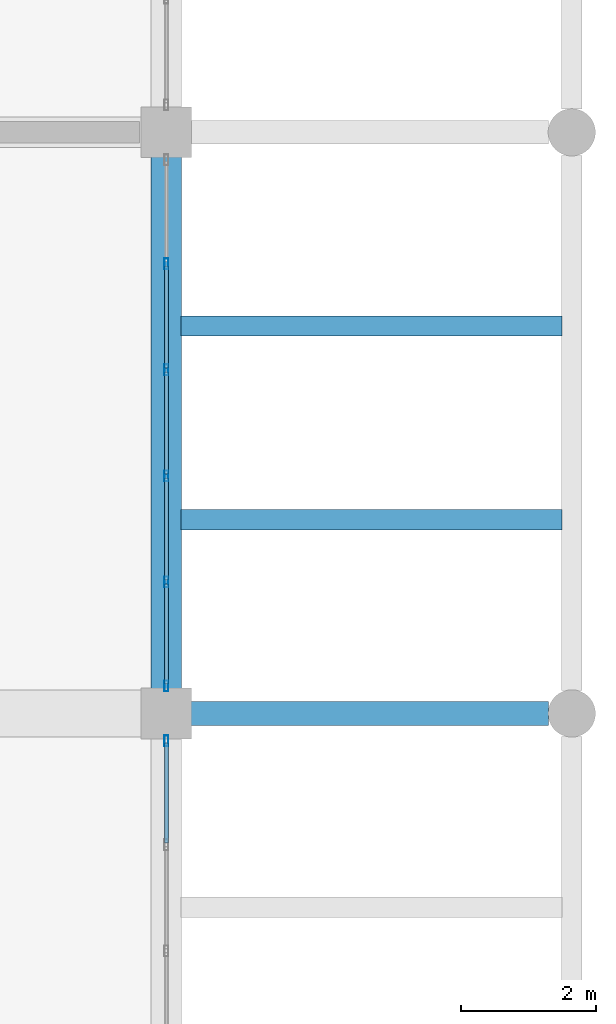
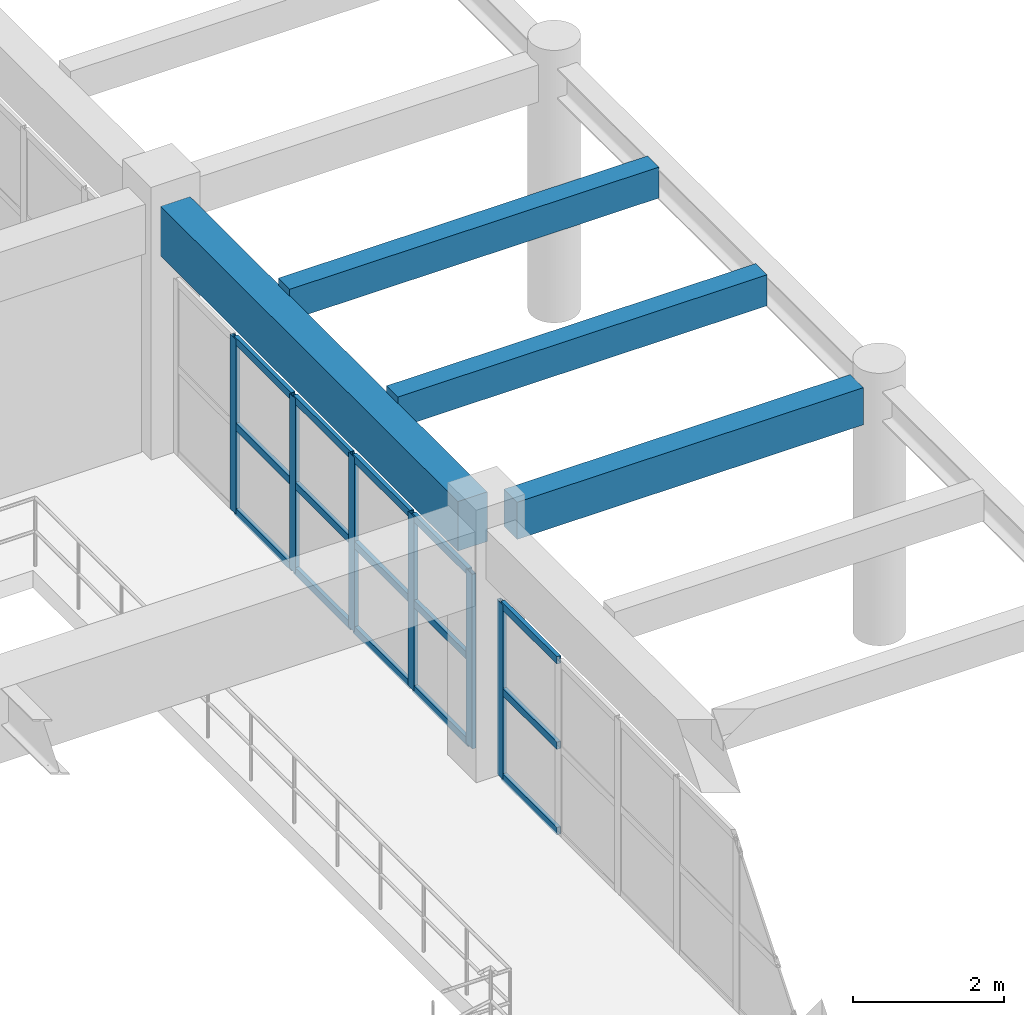
# One storey, part 79 of 116: 21 members, 4 beams, 2 elements without a shape of their own.
"""IFC4 building model written with IfcOpenShell, lengths in metres."""

from ifc_helpers import new_model, si_unit, direction, frame, origin, origin_2d, place, context, subcontext, project, spatial, rectangle, hollow_rectangle, extrude, material, layer, layer_set, material_profile, profile_set, type_object, element, aggregate, save


model = new_model("IFC4")

# Units and contexts
model_context = context("Model", 3, precision=1e-05, world=origin(), true_north=direction((0.0, 1.0)))
body_context = subcontext(model_context, "Body", "Model", "MODEL_VIEW")
ifc_project = project(units=[si_unit("LENGTHUNIT", "METRE"), si_unit("AREAUNIT", "SQUARE_METRE"), si_unit("VOLUMEUNIT", "CUBIC_METRE"), si_unit("PLANEANGLEUNIT", "RADIAN"), si_unit("MASSUNIT", "GRAM", prefix="KILO")], contexts=[model_context])

# Site, building, storey
site_placement = place(None, origin())
site = spatial("IfcSite", under=ifc_project, at=site_placement, CompositionType="ELEMENT")
building_placement = place(site_placement, origin())
building = spatial("IfcBuilding", under=site, at=building_placement, Name="Muzn Square Opera House", CompositionType="ELEMENT")
storey_placement = place(building_placement, frame((0.0, 0.0, 5.39990234375)))
storey = spatial("IfcBuildingStorey", under=building, at=storey_placement, Name="L01", CompositionType="ELEMENT", Elevation=5.39990234375)

# Curtain wall, member
ifc_material_1 = material(Name="Low-E laminated acoustic double glazing", Category="glass")
ifc_layer = layer(ifc_material_1, 0.159912109375, Name="Low-E laminated acoustic double glazing", Category="glass")
ifc_layer_set = layer_set([ifc_layer], Name="Low-E laminated acoustic double glazing")
curtain_wall_type = type_object("IfcCurtainWallType", Name="Glazed Curtain Wall EastBlvd 7850x2820", PredefinedType="USERDEFINED", material=ifc_layer_set)
curtain_wall_1_placement = place(storey_placement, origin())
curtain_wall_1 = element("IfcCurtainWall", 1, at=curtain_wall_1_placement, inside=storey, type_object=curtain_wall_type, Name="Glazed Curtain Wall CW-L01-119", ObjectType="GLAZED CURTAIN WALL", PredefinedType="USERDEFINED")
ifc_material_2 = material(Name="Anodised bronze aluminium 6063-T6", Category="metal")
ifc_material_profile_1 = material_profile(ifc_material_2, hollow_rectangle(XDim=0.06005859375, YDim=0.159912109375, WallThickness=0.00390625, at=origin_2d()), Name="ALU 160x60x4", Category="metal")
ifc_profile_set_1 = profile_set([ifc_material_profile_1], Name="Anodised bronze aluminium 6063-T6")
member_type_1 = type_object("IfcMemberType", Name="Curtain Wall Mullion 160x60", PredefinedType="MULLION", material=ifc_profile_set_1)
member_1_placement = place(storey_placement, frame((170.0, 80.794921875, 0.0), z_axis=(0.0, 0.0, 1.0), x_axis=(-1.0, 0.0, 0.0)))
member_1 = element("IfcMember", 2, at=member_1_placement, type_object=member_type_1, Name="CW-EBL-78x28 mullion 6", PredefinedType="MULLION", context=body_context, shape_type="SweptSolid", body=[
    extrude(hollow_rectangle(XDim=0.06005859375, YDim=0.159912109375, WallThickness=0.00390625, at=origin_2d()), origin(), (0.0, 0.0, 1.0), 2.820068359375),
])

# Curtain wall, members
curtain_wall_2_placement = place(storey_placement, origin())
curtain_wall_2 = element("IfcCurtainWall", 3, at=curtain_wall_2_placement, inside=storey, type_object=curtain_wall_type, Name="Glazed Curtain Wall CW-L01-120", ObjectType="GLAZED CURTAIN WALL", PredefinedType="USERDEFINED")
member_2_placement = place(storey_placement, frame((170.0, 81.60498046875, 0.0), z_axis=(0.0, 0.0, 1.0), x_axis=(-1.0, 0.0, 0.0)))
member_2 = element("IfcMember", 4, at=member_2_placement, type_object=member_type_1, Name="CW-EBL-78x28 mullion 1", PredefinedType="MULLION", context=body_context, shape_type="SweptSolid", body=[
    extrude(hollow_rectangle(XDim=0.06005859375, YDim=0.159912109375, WallThickness=0.00390625, at=origin_2d()), origin(), (0.0, 0.0, 1.0), 2.820068359375),
])
member_3_placement = place(storey_placement, frame((170.0, 83.14501953125, 0.0), z_axis=(0.0, 0.0, 1.0), x_axis=(-1.0, 0.0, 0.0)))
member_3 = element("IfcMember", 5, at=member_3_placement, type_object=member_type_1, Name="CW-EBL-78x28 mullion 2", PredefinedType="MULLION", context=body_context, shape_type="SweptSolid", body=[
    extrude(hollow_rectangle(XDim=0.06005859375, YDim=0.159912109375, WallThickness=0.00390625, at=origin_2d()), origin(), (0.0, 0.0, 1.0), 2.820068359375),
])
member_4_placement = place(storey_placement, frame((170.0, 84.715087890625, 0.0), z_axis=(0.0, 0.0, 1.0), x_axis=(-1.0, 0.0, 0.0)))
member_4 = element("IfcMember", 6, at=member_4_placement, type_object=member_type_1, Name="CW-EBL-78x28 mullion 3", PredefinedType="MULLION", context=body_context, shape_type="SweptSolid", body=[
    extrude(hollow_rectangle(XDim=0.06005859375, YDim=0.159912109375, WallThickness=0.00390625, at=origin_2d()), origin(), (0.0, 0.0, 1.0), 2.820068359375),
])
member_5_placement = place(storey_placement, frame((170.0, 86.284912109375, 0.0), z_axis=(0.0, 0.0, 1.0), x_axis=(-1.0, 0.0, 0.0)))
member_5 = element("IfcMember", 7, at=member_5_placement, type_object=member_type_1, Name="CW-EBL-78x28 mullion 4", PredefinedType="MULLION", context=body_context, shape_type="SweptSolid", body=[
    extrude(hollow_rectangle(XDim=0.06005859375, YDim=0.159912109375, WallThickness=0.00390625, at=origin_2d()), origin(), (0.0, 0.0, 1.0), 2.820068359375),
])
member_6_placement = place(storey_placement, frame((170.0, 87.85498046875, 0.0), z_axis=(0.0, 0.0, 1.0), x_axis=(-1.0, 0.0, 0.0)))
member_6 = element("IfcMember", 8, at=member_6_placement, type_object=member_type_1, Name="CW-EBL-78x28 mullion 5", PredefinedType="MULLION", context=body_context, shape_type="SweptSolid", body=[
    extrude(hollow_rectangle(XDim=0.06005859375, YDim=0.159912109375, WallThickness=0.00390625, at=origin_2d()), origin(), (0.0, 0.0, 1.0), 2.820068359375),
])

# Member
ifc_material_profile_2 = material_profile(ifc_material_2, hollow_rectangle(XDim=0.06005859375, YDim=0.1201171875, WallThickness=0.00390625, at=origin_2d()), Name="ALU 120x60x4", Category="metal")
ifc_profile_set_2 = profile_set([ifc_material_profile_2], Name="Anodised bronze aluminium 6063-T6")
member_type_2 = type_object("IfcMemberType", Name="Curtain Wall Transom 120x60", PredefinedType="USERDEFINED", material=ifc_profile_set_2)
member_7_placement = place(storey_placement, frame((170.0, 79.284912109375, 0.030029296875), z_axis=(0.0, 1.0, 0.0), x_axis=(-1.0, 0.0, 0.0)))
member_7 = element("IfcMember", 9, at=member_7_placement, type_object=member_type_2, Name="CW-EBL-78x28 transom 5.1", ObjectType="TRANSOM", PredefinedType="USERDEFINED", context=body_context, shape_type="SweptSolid", body=[
    extrude(hollow_rectangle(XDim=0.06005859375, YDim=0.1201171875, WallThickness=0.00390625, at=origin_2d()), origin(), (0.0, 0.0, 1.0), 1.47998046875),
])

member_8_placement = place(storey_placement, frame((170.0, 79.284912109375, 1.41015625), z_axis=(0.0, 1.0, 0.0), x_axis=(-1.0, 0.0, 0.0)))
member_8 = element("IfcMember", 10, at=member_8_placement, type_object=member_type_2, Name="CW-EBL-78x28 transom 5.2", ObjectType="TRANSOM", PredefinedType="USERDEFINED", context=body_context, shape_type="SweptSolid", body=[
    extrude(hollow_rectangle(XDim=0.06005859375, YDim=0.1201171875, WallThickness=0.00390625, at=origin_2d()), origin(), (0.0, 0.0, 1.0), 1.47998046875),
])

member_9_placement = place(storey_placement, frame((170.0, 79.284912109375, 2.7900390625), z_axis=(0.0, 1.0, 0.0), x_axis=(-1.0, 0.0, 0.0)))
member_9 = element("IfcMember", 11, at=member_9_placement, type_object=member_type_2, Name="CW-EBL-78x28 transom 5.3", ObjectType="TRANSOM", PredefinedType="USERDEFINED", context=body_context, shape_type="SweptSolid", body=[
    extrude(hollow_rectangle(XDim=0.06005859375, YDim=0.1201171875, WallThickness=0.00390625, at=origin_2d()), origin(), (0.0, 0.0, 1.0), 1.47998046875),
])

aggregate(curtain_wall_1, [member_1, member_7, member_8, member_9])

member_10_placement = place(storey_placement, frame((170.0, 81.635009765625, 0.030029296875), z_axis=(0.0, 1.0, 0.0), x_axis=(-1.0, 0.0, 0.0)))
member_10 = element("IfcMember", 12, at=member_10_placement, type_object=member_type_2, Name="CW-EBL-78x28 transom 1.1", ObjectType="TRANSOM", PredefinedType="USERDEFINED", context=body_context, shape_type="SweptSolid", body=[
    extrude(hollow_rectangle(XDim=0.06005859375, YDim=0.1201171875, WallThickness=0.00390625, at=origin_2d()), origin(), (0.0, 0.0, 1.0), 1.47998046875),
])

member_11_placement = place(storey_placement, frame((170.0, 81.635009765625, 1.41015625), z_axis=(0.0, 1.0, 0.0), x_axis=(-1.0, 0.0, 0.0)))
member_11 = element("IfcMember", 13, at=member_11_placement, type_object=member_type_2, Name="CW-EBL-78x28 transom 1.2", ObjectType="TRANSOM", PredefinedType="USERDEFINED", context=body_context, shape_type="SweptSolid", body=[
    extrude(hollow_rectangle(XDim=0.06005859375, YDim=0.1201171875, WallThickness=0.00390625, at=origin_2d()), origin(), (0.0, 0.0, 1.0), 1.47998046875),
])

member_12_placement = place(storey_placement, frame((170.0, 81.635009765625, 2.7900390625), z_axis=(0.0, 1.0, 0.0), x_axis=(-1.0, 0.0, 0.0)))
member_12 = element("IfcMember", 14, at=member_12_placement, type_object=member_type_2, Name="CW-EBL-78x28 transom 1.3", ObjectType="TRANSOM", PredefinedType="USERDEFINED", context=body_context, shape_type="SweptSolid", body=[
    extrude(hollow_rectangle(XDim=0.06005859375, YDim=0.1201171875, WallThickness=0.00390625, at=origin_2d()), origin(), (0.0, 0.0, 1.0), 1.47998046875),
])

member_13_placement = place(storey_placement, frame((170.0, 83.175048828125, 0.030029296875), z_axis=(0.0, 1.0, 0.0), x_axis=(-1.0, 0.0, 0.0)))
member_13 = element("IfcMember", 15, at=member_13_placement, type_object=member_type_2, Name="CW-EBL-78x28 transom 2.1", ObjectType="TRANSOM", PredefinedType="USERDEFINED", context=body_context, shape_type="SweptSolid", body=[
    extrude(hollow_rectangle(XDim=0.06005859375, YDim=0.1201171875, WallThickness=0.00390625, at=origin_2d()), origin(), (0.0, 0.0, 1.0), 1.510009765625),
])

member_14_placement = place(storey_placement, frame((170.0, 83.175048828125, 1.41015625), z_axis=(0.0, 1.0, 0.0), x_axis=(-1.0, 0.0, 0.0)))
member_14 = element("IfcMember", 16, at=member_14_placement, type_object=member_type_2, Name="CW-EBL-78x28 transom 2.2", ObjectType="TRANSOM", PredefinedType="USERDEFINED", context=body_context, shape_type="SweptSolid", body=[
    extrude(hollow_rectangle(XDim=0.06005859375, YDim=0.1201171875, WallThickness=0.00390625, at=origin_2d()), origin(), (0.0, 0.0, 1.0), 1.510009765625),
])

member_15_placement = place(storey_placement, frame((170.0, 83.175048828125, 2.7900390625), z_axis=(0.0, 1.0, 0.0), x_axis=(-1.0, 0.0, 0.0)))
member_15 = element("IfcMember", 17, at=member_15_placement, type_object=member_type_2, Name="CW-EBL-78x28 transom 2.3", ObjectType="TRANSOM", PredefinedType="USERDEFINED", context=body_context, shape_type="SweptSolid", body=[
    extrude(hollow_rectangle(XDim=0.06005859375, YDim=0.1201171875, WallThickness=0.00390625, at=origin_2d()), origin(), (0.0, 0.0, 1.0), 1.510009765625),
])

member_16_placement = place(storey_placement, frame((170.0, 84.7451171875, 0.030029296875), z_axis=(0.0, 1.0, 0.0), x_axis=(-1.0, 0.0, 0.0)))
member_16 = element("IfcMember", 18, at=member_16_placement, type_object=member_type_2, Name="CW-EBL-78x28 transom 3.1", ObjectType="TRANSOM", PredefinedType="USERDEFINED", context=body_context, shape_type="SweptSolid", body=[
    extrude(hollow_rectangle(XDim=0.06005859375, YDim=0.1201171875, WallThickness=0.00390625, at=origin_2d()), origin(), (0.0, 0.0, 1.0), 1.509765625),
])

member_17_placement = place(storey_placement, frame((170.0, 84.7451171875, 1.41015625), z_axis=(0.0, 1.0, 0.0), x_axis=(-1.0, 0.0, 0.0)))
member_17 = element("IfcMember", 19, at=member_17_placement, type_object=member_type_2, Name="CW-EBL-78x28 transom 3.2", ObjectType="TRANSOM", PredefinedType="USERDEFINED", context=body_context, shape_type="SweptSolid", body=[
    extrude(hollow_rectangle(XDim=0.06005859375, YDim=0.1201171875, WallThickness=0.00390625, at=origin_2d()), origin(), (0.0, 0.0, 1.0), 1.509765625),
])

member_18_placement = place(storey_placement, frame((170.0, 84.7451171875, 2.7900390625), z_axis=(0.0, 1.0, 0.0), x_axis=(-1.0, 0.0, 0.0)))
member_18 = element("IfcMember", 20, at=member_18_placement, type_object=member_type_2, Name="CW-EBL-78x28 transom 3.3", ObjectType="TRANSOM", PredefinedType="USERDEFINED", context=body_context, shape_type="SweptSolid", body=[
    extrude(hollow_rectangle(XDim=0.06005859375, YDim=0.1201171875, WallThickness=0.00390625, at=origin_2d()), origin(), (0.0, 0.0, 1.0), 1.509765625),
])

member_19_placement = place(storey_placement, frame((170.0, 86.31494140625, 0.030029296875), z_axis=(0.0, 1.0, 0.0), x_axis=(-1.0, 0.0, 0.0)))
member_19 = element("IfcMember", 21, at=member_19_placement, type_object=member_type_2, Name="CW-EBL-78x28 transom 4.1", ObjectType="TRANSOM", PredefinedType="USERDEFINED", context=body_context, shape_type="SweptSolid", body=[
    extrude(hollow_rectangle(XDim=0.06005859375, YDim=0.1201171875, WallThickness=0.00390625, at=origin_2d()), origin(), (0.0, 0.0, 1.0), 1.510009765625),
])

member_20_placement = place(storey_placement, frame((170.0, 86.31494140625, 1.41015625), z_axis=(0.0, 1.0, 0.0), x_axis=(-1.0, 0.0, 0.0)))
member_20 = element("IfcMember", 22, at=member_20_placement, type_object=member_type_2, Name="CW-EBL-78x28 transom 4.2", ObjectType="TRANSOM", PredefinedType="USERDEFINED", context=body_context, shape_type="SweptSolid", body=[
    extrude(hollow_rectangle(XDim=0.06005859375, YDim=0.1201171875, WallThickness=0.00390625, at=origin_2d()), origin(), (0.0, 0.0, 1.0), 1.510009765625),
])

member_21_placement = place(storey_placement, frame((170.0, 86.31494140625, 2.7900390625), z_axis=(0.0, 1.0, 0.0), x_axis=(-1.0, 0.0, 0.0)))
member_21 = element("IfcMember", 23, at=member_21_placement, type_object=member_type_2, Name="CW-EBL-78x28 transom 4.3", ObjectType="TRANSOM", PredefinedType="USERDEFINED", context=body_context, shape_type="SweptSolid", body=[
    extrude(hollow_rectangle(XDim=0.06005859375, YDim=0.1201171875, WallThickness=0.00390625, at=origin_2d()), origin(), (0.0, 0.0, 1.0), 1.510009765625),
])

aggregate(curtain_wall_2, [member_2, member_3, member_4, member_5, member_6, member_10, member_11, member_12, member_13, member_14, member_15, member_16, member_17, member_18, member_19, member_20, member_21])

# Beams
ifc_material_3 = material(Name="Concrete C40/50", Category="concrete")
ifc_material_profile_3 = material_profile(ifc_material_3, rectangle(XDim=0.300048828125, YDim=0.5, at=origin_2d()), Name="RCJ 300x500", Category="concrete")
ifc_profile_set_3 = profile_set([ifc_material_profile_3], Name="Concrete C40/50")
beam_type_1 = type_object("IfcBeamType", Name="Floor Joist 300x500", PredefinedType="JOIST", material=ifc_profile_set_3)
for number, where, z_axis, x_axis, name in (
    (24, (170.217041015625, 84.066650390625, 3.900146484375), (1.0, 0.0, 0.0), (0.0, 1.0, 0.0), "Floor Joist BM-L01-BM-J500-1702_841_1759_841-1936"),
    (25, (170.217041015625, 86.933349609375, 3.900146484375), (1.0, 0.0, 0.0), (0.0, 1.0, 0.0), "Floor Joist BM-L01-BM-J500-1702_869_1759_869-1937"),
):
    element("IfcBeam", number, at=place(storey_placement, frame(where, z_axis=z_axis, x_axis=x_axis)), inside=storey, type_object=beam_type_1, Name=name, PredefinedType="JOIST", context=body_context, shape_type="SweptSolid", body=[
        extrude(rectangle(XDim=0.300048828125, YDim=0.5, at=origin_2d()), origin(), (0.0, 0.0, 1.0), 5.640869140625),
    ])
ifc_material_profile_4 = material_profile(ifc_material_3, rectangle(XDim=0.35009765625, YDim=0.60009765625, at=origin_2d()), Name="RCB 350x600", Category="concrete")
ifc_profile_set_4 = profile_set([ifc_material_profile_4], Name="Concrete C40/50")
beam_type_2 = type_object("IfcBeamType", Name="Primary Girder 350x600", PredefinedType="BEAM", material=ifc_profile_set_4)
beam_1_placement = place(storey_placement, frame((170.366943359375, 81.199951171875, 3.85009765625), z_axis=(1.0, 0.0, 0.0), x_axis=(0.0, 1.0, 0.0)))
element("IfcBeam", 26, at=beam_1_placement, inside=storey, type_object=beam_type_2, Name="Primary Girder BM-L01-BM-PG600-1704_812_1757_812-1462", PredefinedType="BEAM", context=body_context, shape_type="SweptSolid", body=[
    extrude(rectangle(XDim=0.35009765625, YDim=0.60009765625, at=origin_2d()), origin(), (0.0, 0.0, 1.0), 5.291015625),
])
ifc_material_profile_5 = material_profile(ifc_material_3, rectangle(XDim=0.449951171875, YDim=0.800048828125, at=origin_2d()), Name="RCB 450x800", Category="concrete")
ifc_profile_set_5 = profile_set([ifc_material_profile_5], Name="Concrete C40/50")
beam_type_3 = type_object("IfcBeamType", Name="Primary Girder 450x800", PredefinedType="BEAM", material=ifc_profile_set_5)
beam_2_placement = place(storey_placement, frame((170.0, 81.56689453125, 3.64013671875), z_axis=(0.0, 1.0, 0.0), x_axis=(-1.0, 0.0, 0.0)))
element("IfcBeam", 27, at=beam_2_placement, inside=storey, type_object=beam_type_3, Name="Primary Girder BM-L01-BM-PG800-1700_816_1700_894-1780", PredefinedType="BEAM", context=body_context, shape_type="SweptSolid", body=[
    extrude(rectangle(XDim=0.449951171875, YDim=0.800048828125, at=origin_2d()), origin(), (0.0, 0.0, 1.0), 7.8662109375),
])

save(model, "model.ifc")
